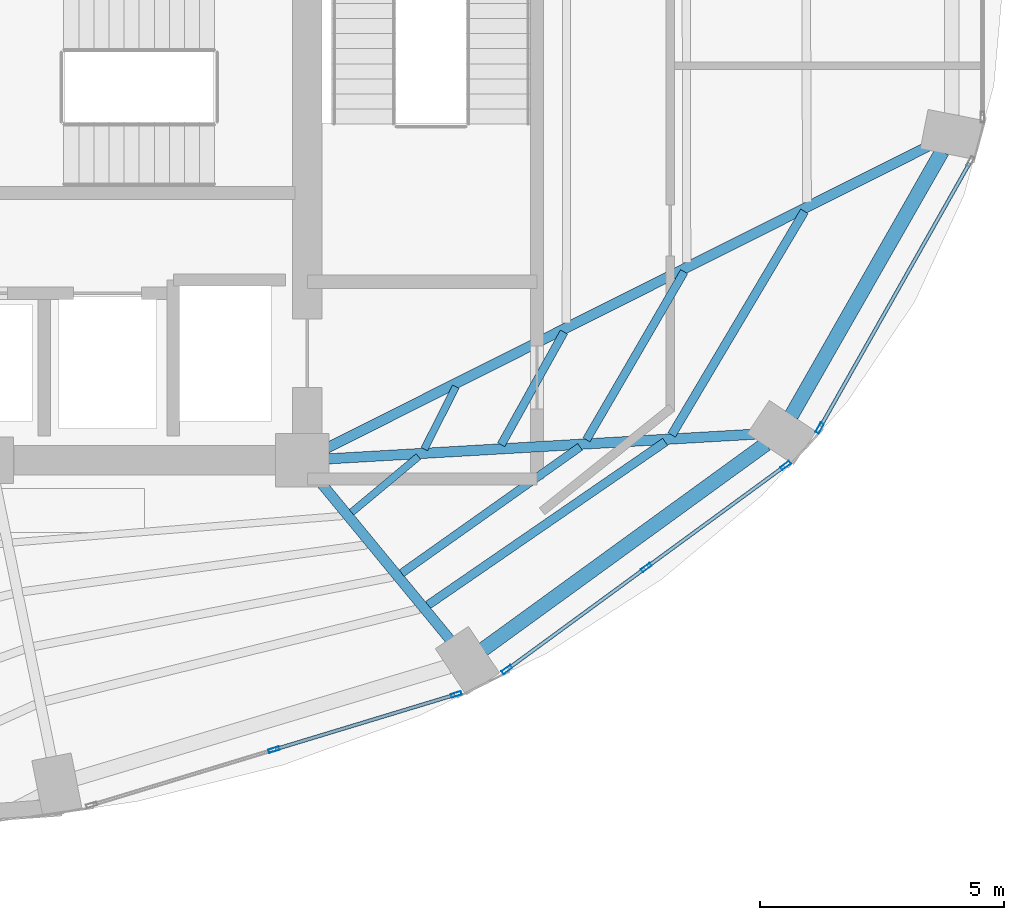
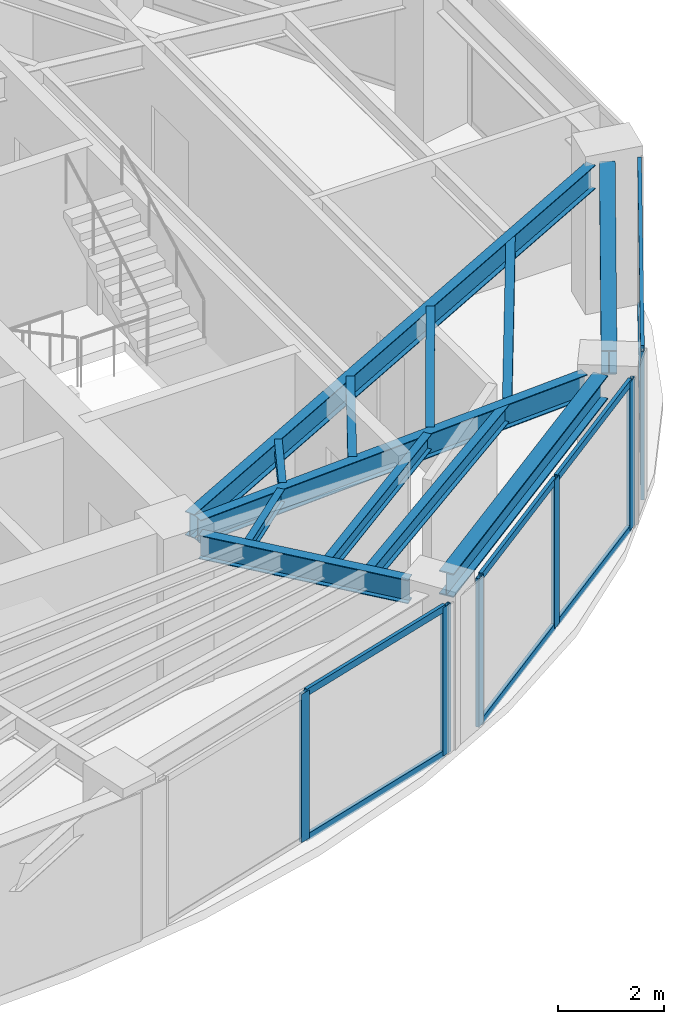
# One storey, part 9 of 20: 14 members, 12 beams, 3 elements without a shape of their own.
"""IFC4 building model written with IfcOpenShell, lengths in metres."""

from ifc_helpers import new_model, si_unit, direction, frame, origin, origin_2d, place, context, subcontext, project, spatial, hollow_rectangle, i_section, extrude, material, layer, layer_set, material_profile, profile_set, type_object, element, aggregate, save


model = new_model("IFC4")

# Units and contexts
model_context = context("Model", 3, precision=1e-05, world=origin(), true_north=direction((0.0, 1.0)))
body_context = subcontext(model_context, "Body", "Model", "MODEL_VIEW")
ifc_project = project(units=[si_unit("LENGTHUNIT", "METRE"), si_unit("AREAUNIT", "SQUARE_METRE"), si_unit("VOLUMEUNIT", "CUBIC_METRE"), si_unit("PLANEANGLEUNIT", "RADIAN"), si_unit("MASSUNIT", "GRAM", prefix="KILO")], contexts=[model_context])

# Site, building, storey
site_placement = place(None, origin())
site = spatial("IfcSite", under=ifc_project, at=site_placement, CompositionType="ELEMENT")
building_placement = place(site_placement, origin())
building = spatial("IfcBuilding", under=site, at=building_placement, Name="Lazwardi Medical Tower", CompositionType="ELEMENT")
storey_placement = place(building_placement, frame((0.0, 0.0, 152.8798828125)))
storey = spatial("IfcBuildingStorey", under=building, at=storey_placement, Name="L39", CompositionType="ELEMENT", Elevation=152.8798828125)

# Beams
ifc_material_1 = material(Name="Steel S355", Category="steel")
ifc_material_profile_1 = material_profile(ifc_material_1, i_section(OverallWidth=0.300048828125, OverallDepth=0.550048828125, WebThickness=0.014892578125, FlangeThickness=0.029052734375, at=origin_2d()), Name="HEB 550")
ifc_profile_set_1 = profile_set([ifc_material_profile_1], Name="Steel S355")
beam_type_1 = type_object("IfcBeamType", Name="BM-RB-Z3", PredefinedType="BEAM", material=ifc_profile_set_1)
beam_1_placement = place(storey_placement, frame((49.310302734375, 16.520751953125, 3.153076171875), z_axis=(0.809127570774, 0.587633026824, 0.0), x_axis=(-0.587633026824, 0.809127570774, 0.0)))
element("IfcBeam", 1, at=beam_1_placement, inside=storey, type_object=beam_type_1, Name="Ring beam RB-04 B02 L39", PredefinedType="BEAM", context=body_context, shape_type="SweptSolid", body=[
    extrude(i_section(OverallWidth=0.300048828125, OverallDepth=0.550048828125, WebThickness=0.014892578125, FlangeThickness=0.029052734375, at=origin_2d()), origin(), (0.0, 0.0, 1.0), 7.170166015625),
])
beam_2_placement = place(storey_placement, frame((55.6337890625, 21.316650390625, 3.153076171875), z_axis=(0.495477752551, 0.868620628771, 0.0), x_axis=(-0.868620628771, 0.495477752551, 0.0)))
element("IfcBeam", 2, at=beam_2_placement, inside=storey, type_object=beam_type_1, Name="Ring beam RB-04 B03 L39", PredefinedType="BEAM", context=body_context, shape_type="SweptSolid", body=[
    extrude(i_section(OverallWidth=0.300048828125, OverallDepth=0.550048828125, WebThickness=0.014892578125, FlangeThickness=0.029052734375, at=origin_2d()), origin(), (0.0, 0.0, 1.0), 6.244384765625),
])
ifc_material_profile_2 = material_profile(ifc_material_1, i_section(OverallWidth=0.2099609375, OverallDepth=0.550048828125, WebThickness=0.010986328125, FlangeThickness=0.01708984375, at=origin_2d()), Name="IPE 550")
ifc_profile_set_2 = profile_set([ifc_material_profile_2], Name="Steel S355")
beam_type_2 = type_object("IfcBeamType", Name="BM-RG-W2", PredefinedType="BEAM", material=ifc_profile_set_2)
beam_3_placement = place(storey_placement, frame((48.630615234375, 16.71826171875, 3.153076171875), z_axis=(-0.635555639966, 0.772055068312, 0.0), x_axis=(-0.772055068312, -0.635555639966, 0.0)))
element("IfcBeam", 3, at=beam_3_placement, inside=storey, type_object=beam_type_2, Name="Radial girder RG-03 R02 L39", PredefinedType="BEAM", context=body_context, shape_type="SweptSolid", body=[
    extrude(i_section(OverallWidth=0.2099609375, OverallDepth=0.550048828125, WebThickness=0.010986328125, FlangeThickness=0.01708984375, at=origin_2d()), origin(), (0.0, 0.0, 1.0), 4.233642578125),
])
beam_4_placement = place(storey_placement, frame((54.87646484375, 20.936767578125, 3.153076171875), z_axis=(-0.998330154646, -0.057765927014, 0.0), x_axis=(0.057765927014, -0.998330154646, 0.0)))
element("IfcBeam", 4, at=beam_4_placement, inside=storey, type_object=beam_type_2, Name="Radial girder RG-03 R03 L39", PredefinedType="BEAM", context=body_context, shape_type="SweptSolid", body=[
    extrude(i_section(OverallWidth=0.2099609375, OverallDepth=0.550048828125, WebThickness=0.010986328125, FlangeThickness=0.01708984375, at=origin_2d()), origin(), (0.0, 0.0, 1.0), 8.757080078125),
])
beam_5_placement = place(storey_placement, frame((58.42529296875, 26.837158203125, 3.153076171875), z_axis=(-0.893740468624, -0.448584412061, 0.0), x_axis=(0.448584412061, -0.893740468624, 0.0)))
element("IfcBeam", 5, at=beam_5_placement, inside=storey, type_object=beam_type_2, Name="Radial girder RG-03 R04 L39", PredefinedType="BEAM", context=body_context, shape_type="SweptSolid", body=[
    extrude(i_section(OverallWidth=0.2099609375, OverallDepth=0.550048828125, WebThickness=0.010986328125, FlangeThickness=0.01708984375, at=origin_2d()), origin(), (0.0, 0.0, 1.0), 13.815185546875),
])
ifc_material_profile_3 = material_profile(ifc_material_1, i_section(OverallWidth=0.179931640625, OverallDepth=0.39990234375, WebThickness=0.008544921875, FlangeThickness=0.013427734375, at=origin_2d()), Name="IPE 400")
ifc_profile_set_3 = profile_set([ifc_material_profile_3], Name="Steel S355")
beam_type_3 = type_object("IfcBeamType", Name="BM-SJ-01", PredefinedType="JOIST", material=ifc_profile_set_3)
beam_6_placement = place(storey_placement, frame((48.1748046875, 17.4287109375, 3.22802734375), z_axis=(0.823932256005, 0.566688307198, 0.0), x_axis=(-0.566688307198, 0.823932256005, 0.0)))
element("IfcBeam", 6, at=beam_6_placement, inside=storey, type_object=beam_type_3, Name="Secondary joist SJ-01 R1 B02 L39", PredefinedType="JOIST", context=body_context, shape_type="SweptSolid", body=[
    extrude(i_section(OverallWidth=0.179931640625, OverallDepth=0.39990234375, WebThickness=0.008544921875, FlangeThickness=0.013427734375, at=origin_2d()), origin(), (0.0, 0.0, 1.0), 5.91162109375),
])
beam_7_placement = place(storey_placement, frame((53.17919921875, 20.921630859375, 3.22802734375), z_axis=(0.510569396963, 0.859836548935, 0.0), x_axis=(-0.859836548935, 0.510569396963, 0.0)))
element("IfcBeam", 7, at=beam_7_placement, inside=storey, type_object=beam_type_3, Name="Secondary joist SJ-01 R1 B03 L39", PredefinedType="JOIST", context=body_context, shape_type="SweptSolid", body=[
    extrude(i_section(OverallWidth=0.179931640625, OverallDepth=0.39990234375, WebThickness=0.008544921875, FlangeThickness=0.013427734375, at=origin_2d()), origin(), (0.0, 0.0, 1.0), 5.33837890625),
])
ifc_material_profile_4 = material_profile(ifc_material_1, i_section(OverallWidth=0.169921875, OverallDepth=0.360107421875, WebThickness=0.008056640625, FlangeThickness=0.0126953125, at=origin_2d()), Name="IPE 360")
ifc_profile_set_4 = profile_set([ifc_material_profile_4], Name="Steel S355")
beam_type_4 = type_object("IfcBeamType", Name="BM-SJ-02", PredefinedType="JOIST", material=ifc_profile_set_4)
beam_8_placement = place(storey_placement, frame((47.635986328125, 18.08349609375, 3.248046875), z_axis=(0.816108950798, 0.577898070967, 0.0), x_axis=(-0.577898070967, 0.816108950798, 0.0)))
element("IfcBeam", 8, at=beam_8_placement, inside=storey, type_object=beam_type_4, Name="Secondary joist SJ-02 R2 B02 L39", PredefinedType="JOIST", context=body_context, shape_type="SweptSolid", body=[
    extrude(i_section(OverallWidth=0.169921875, OverallDepth=0.360107421875, WebThickness=0.008056640625, FlangeThickness=0.0126953125, at=origin_2d()), origin(), (0.0, 0.0, 1.0), 4.487060546875),
])
beam_9_placement = place(storey_placement, frame((51.4296875, 20.82080078125, 3.248046875), z_axis=(0.502665102216, 0.864481228839, 0.0), x_axis=(-0.864481228839, 0.502665102216, 0.0)))
element("IfcBeam", 9, at=beam_9_placement, inside=storey, type_object=beam_type_4, Name="Secondary joist SJ-02 R2 B03 L39", PredefinedType="JOIST", context=body_context, shape_type="SweptSolid", body=[
    extrude(i_section(OverallWidth=0.169921875, OverallDepth=0.360107421875, WebThickness=0.008056640625, FlangeThickness=0.0126953125, at=origin_2d()), origin(), (0.0, 0.0, 1.0), 3.991943359375),
])
beam_10_placement = place(storey_placement, frame((49.6796875, 20.720703125, 3.248046875), z_axis=(0.487099444348, 0.87334651274, 0.0), x_axis=(-0.87334651274, 0.487099444348, 0.0)))
element("IfcBeam", 10, at=beam_10_placement, inside=storey, type_object=beam_type_4, Name="Secondary joist SJ-02 R3 B03 L39", PredefinedType="JOIST", context=body_context, shape_type="SweptSolid", body=[
    extrude(i_section(OverallWidth=0.169921875, OverallDepth=0.360107421875, WebThickness=0.008056640625, FlangeThickness=0.0126953125, at=origin_2d()), origin(), (0.0, 0.0, 1.0), 2.64599609375),
])
ifc_material_profile_5 = material_profile(ifc_material_1, i_section(OverallWidth=0.14990234375, OverallDepth=0.300048828125, WebThickness=0.007080078125, FlangeThickness=0.0107421875, at=origin_2d()), Name="IPE 300")
ifc_profile_set_5 = profile_set([ifc_material_profile_5], Name="Steel S355")
beam_type_5 = type_object("IfcBeamType", Name="BM-SJ-03", PredefinedType="JOIST", material=ifc_profile_set_5)
beam_11_placement = place(storey_placement, frame((46.608642578125, 19.331787109375, 3.278076171875), z_axis=(0.767437193893, 0.641124132621, 0.0), x_axis=(-0.641124132621, 0.767437193893, 0.0)))
element("IfcBeam", 11, at=beam_11_placement, inside=storey, type_object=beam_type_5, Name="Secondary joist SJ-03 R4 B02 L39", PredefinedType="JOIST", context=body_context, shape_type="SweptSolid", body=[
    extrude(i_section(OverallWidth=0.14990234375, OverallDepth=0.300048828125, WebThickness=0.007080078125, FlangeThickness=0.0107421875, at=origin_2d()), origin(), (0.0, 0.0, 1.0), 1.787841796875),
])
beam_12_placement = place(storey_placement, frame((48.1025390625, 20.631591796875, 3.278076171875), z_axis=(0.450406075332, 0.892823816497, 0.0), x_axis=(-0.892823816497, 0.450406075332, 0.0)))
element("IfcBeam", 12, at=beam_12_placement, inside=storey, type_object=beam_type_5, Name="Secondary joist SJ-03 R4 B03 L39", PredefinedType="JOIST", context=body_context, shape_type="SweptSolid", body=[
    extrude(i_section(OverallWidth=0.14990234375, OverallDepth=0.300048828125, WebThickness=0.007080078125, FlangeThickness=0.0107421875, at=origin_2d()), origin(), (0.0, 0.0, 1.0), 1.4365234375),
])

# Curtain wall, members
ifc_material_2 = material(Name="Anodised bronze aluminium and solar control glazing", Category="aluminium")
ifc_layer = layer(ifc_material_2, 0.195068359375)
ifc_layer_set = layer_set([ifc_layer], Name="Anodised bronze aluminium and solar control glazing")
curtain_wall_type = type_object("IfcCurtainWallType", Name="CW-SYS-03", PredefinedType="NOTDEFINED", material=ifc_layer_set)
curtain_wall_1_placement = place(storey_placement, origin())
curtain_wall_1 = element("IfcCurtainWall", 13, at=curtain_wall_1_placement, inside=storey, type_object=curtain_wall_type, Name="L39 Unitised bronze curtain wall CW-03", PredefinedType="NOTDEFINED")
ifc_material_3 = material(Name="Anodised bronze aluminium", Category="aluminium")
ifc_material_profile_6 = material_profile(ifc_material_3, hollow_rectangle(XDim=0.074951171875, YDim=0.219970703125, WallThickness=0.00390625, at=origin_2d()), Name="ALU-MULLION 220x75x4")
ifc_profile_set_6 = profile_set([ifc_material_profile_6], Name="Anodised bronze aluminium")
member_type_1 = type_object("IfcMemberType", Name="CW-MUL-01", PredefinedType="MULLION", material=ifc_profile_set_6)
member_1_placement = place(storey_placement, frame((45.01513671875, 14.461181640625, 0.0), z_axis=(0.0, 0.0, 1.0), x_axis=(-0.290280785441, 0.956941516292, 0.0)))
member_1 = element("IfcMember", 14, at=member_1_placement, type_object=member_type_1, Name="CW-03 mullion 2", PredefinedType="MULLION", context=body_context, shape_type="SweptSolid", body=[
    extrude(hollow_rectangle(XDim=0.074951171875, YDim=0.219970703125, WallThickness=0.00390625, at=origin_2d()), origin(), (0.0, 0.0, 1.0), 3.42822265625),
])
member_2_placement = place(storey_placement, frame((48.758056640625, 15.5966796875, 0.0), z_axis=(0.0, 0.0, 1.0), x_axis=(-0.290280785441, 0.956941516292, 0.0)))
member_2 = element("IfcMember", 15, at=member_2_placement, type_object=member_type_1, Name="CW-03 mullion 3", PredefinedType="MULLION", context=body_context, shape_type="SweptSolid", body=[
    extrude(hollow_rectangle(XDim=0.074951171875, YDim=0.219970703125, WallThickness=0.00390625, at=origin_2d()), origin(), (0.0, 0.0, 1.0), 3.42822265625),
])

curtain_wall_2_placement = place(storey_placement, origin())
curtain_wall_2 = element("IfcCurtainWall", 16, at=curtain_wall_2_placement, inside=storey, type_object=curtain_wall_type, Name="L39 Unitised bronze curtain wall CW-03", PredefinedType="NOTDEFINED")
member_3_placement = place(storey_placement, frame((49.795654296875, 16.105224609375, 0.0), z_axis=(0.0, 0.0, 1.0), x_axis=(-0.590833862635, 0.806793249082, 0.0)))
member_3 = element("IfcMember", 17, at=member_3_placement, type_object=member_type_1, Name="CW-03 mullion 1", PredefinedType="MULLION", context=body_context, shape_type="SweptSolid", body=[
    extrude(hollow_rectangle(XDim=0.074951171875, YDim=0.219970703125, WallThickness=0.00390625, at=origin_2d()), origin(), (0.0, 0.0, 1.0), 3.42822265625),
])
member_4_placement = place(storey_placement, frame((52.65771484375, 18.201171875, 0.0), z_axis=(0.0, 0.0, 1.0), x_axis=(-0.590833862635, 0.806793249082, 0.0)))
member_4 = element("IfcMember", 18, at=member_4_placement, type_object=member_type_1, Name="CW-03 mullion 2", PredefinedType="MULLION", context=body_context, shape_type="SweptSolid", body=[
    extrude(hollow_rectangle(XDim=0.074951171875, YDim=0.219970703125, WallThickness=0.00390625, at=origin_2d()), origin(), (0.0, 0.0, 1.0), 3.42822265625),
])
member_5_placement = place(storey_placement, frame((55.519775390625, 20.297119140625, 0.0), z_axis=(0.0, 0.0, 1.0), x_axis=(-0.590833862635, 0.806793249082, 0.0)))
member_5 = element("IfcMember", 19, at=member_5_placement, type_object=member_type_1, Name="CW-03 mullion 3", PredefinedType="MULLION", context=body_context, shape_type="SweptSolid", body=[
    extrude(hollow_rectangle(XDim=0.074951171875, YDim=0.219970703125, WallThickness=0.00390625, at=origin_2d()), origin(), (0.0, 0.0, 1.0), 3.42822265625),
])

# Curtain wall, member
curtain_wall_3_placement = place(storey_placement, origin())
curtain_wall_3 = element("IfcCurtainWall", 20, at=curtain_wall_3_placement, inside=storey, type_object=curtain_wall_type, Name="L39 Unitised bronze curtain wall CW-03", PredefinedType="NOTDEFINED")
member_6_placement = place(storey_placement, frame((56.217529296875, 21.063232421875, 0.0), z_axis=(0.0, 0.0, 1.0), x_axis=(-0.870418989303, 0.492311672683, 0.0)))
member_6 = element("IfcMember", 21, at=member_6_placement, type_object=member_type_1, Name="CW-03 mullion 1", PredefinedType="MULLION", context=body_context, shape_type="SweptSolid", body=[
    extrude(hollow_rectangle(XDim=0.074951171875, YDim=0.219970703125, WallThickness=0.00390625, at=origin_2d()), origin(), (0.0, 0.0, 1.0), 3.42822265625),
])

# Member
ifc_material_profile_7 = material_profile(ifc_material_3, hollow_rectangle(XDim=0.074951171875, YDim=0.159912109375, WallThickness=0.00390625, at=origin_2d()), Name="ALU-TRANSOM 160x75x4")
ifc_profile_set_7 = profile_set([ifc_material_profile_7], Name="Anodised bronze aluminium")
member_type_2 = type_object("IfcMemberType", Name="CW-TRN-01", PredefinedType="USERDEFINED", material=ifc_profile_set_7)
member_7_placement = place(storey_placement, frame((45.051025390625, 14.47216796875, 0.03759765625), z_axis=(0.956930154175, 0.290318239233, 0.0), x_axis=(-0.290318239233, 0.956930154175, 0.0)))
member_7 = element("IfcMember", 22, at=member_7_placement, type_object=member_type_2, Name="CW-03 transom 2.1", ObjectType="TRANSOM", PredefinedType="USERDEFINED", context=body_context, shape_type="SweptSolid", body=[
    extrude(hollow_rectangle(XDim=0.074951171875, YDim=0.159912109375, WallThickness=0.00390625, at=origin_2d()), origin(), (0.0, 0.0, 1.0), 3.83642578125),
])

member_8_placement = place(storey_placement, frame((45.051025390625, 14.47216796875, 3.390625), z_axis=(0.956930154175, 0.290318239233, 0.0), x_axis=(-0.290318239233, 0.956930154175, 0.0)))
member_8 = element("IfcMember", 23, at=member_8_placement, type_object=member_type_2, Name="CW-03 transom 2.2", ObjectType="TRANSOM", PredefinedType="USERDEFINED", context=body_context, shape_type="SweptSolid", body=[
    extrude(hollow_rectangle(XDim=0.074951171875, YDim=0.159912109375, WallThickness=0.00390625, at=origin_2d()), origin(), (0.0, 0.0, 1.0), 3.83642578125),
])

aggregate(curtain_wall_1, [member_1, member_2, member_7, member_8])

member_9_placement = place(storey_placement, frame((49.825927734375, 16.127197265625, 0.03759765625), z_axis=(0.806773646358, 0.590860629542, 0.0), x_axis=(-0.590860629542, 0.806773646358, 0.0)))
member_9 = element("IfcMember", 24, at=member_9_placement, type_object=member_type_2, Name="CW-03 transom 1.1", ObjectType="TRANSOM", PredefinedType="USERDEFINED", context=body_context, shape_type="SweptSolid", body=[
    extrude(hollow_rectangle(XDim=0.074951171875, YDim=0.159912109375, WallThickness=0.00390625, at=origin_2d()), origin(), (0.0, 0.0, 1.0), 3.472412109375),
])

member_10_placement = place(storey_placement, frame((49.825927734375, 16.127197265625, 3.390625), z_axis=(0.806773646358, 0.590860629542, 0.0), x_axis=(-0.590860629542, 0.806773646358, 0.0)))
member_10 = element("IfcMember", 25, at=member_10_placement, type_object=member_type_2, Name="CW-03 transom 1.2", ObjectType="TRANSOM", PredefinedType="USERDEFINED", context=body_context, shape_type="SweptSolid", body=[
    extrude(hollow_rectangle(XDim=0.074951171875, YDim=0.159912109375, WallThickness=0.00390625, at=origin_2d()), origin(), (0.0, 0.0, 1.0), 3.472412109375),
])

member_11_placement = place(storey_placement, frame((52.68798828125, 18.22314453125, 0.03759765625), z_axis=(0.806773646358, 0.590860629542, 0.0), x_axis=(-0.590860629542, 0.806773646358, 0.0)))
member_11 = element("IfcMember", 26, at=member_11_placement, type_object=member_type_2, Name="CW-03 transom 2.1", ObjectType="TRANSOM", PredefinedType="USERDEFINED", context=body_context, shape_type="SweptSolid", body=[
    extrude(hollow_rectangle(XDim=0.074951171875, YDim=0.159912109375, WallThickness=0.00390625, at=origin_2d()), origin(), (0.0, 0.0, 1.0), 3.472412109375),
])

member_12_placement = place(storey_placement, frame((52.68798828125, 18.22314453125, 3.390625), z_axis=(0.806773646358, 0.590860629542, 0.0), x_axis=(-0.590860629542, 0.806773646358, 0.0)))
member_12 = element("IfcMember", 27, at=member_12_placement, type_object=member_type_2, Name="CW-03 transom 2.2", ObjectType="TRANSOM", PredefinedType="USERDEFINED", context=body_context, shape_type="SweptSolid", body=[
    extrude(hollow_rectangle(XDim=0.074951171875, YDim=0.159912109375, WallThickness=0.00390625, at=origin_2d()), origin(), (0.0, 0.0, 1.0), 3.472412109375),
])

aggregate(curtain_wall_2, [member_3, member_4, member_5, member_9, member_10, member_11, member_12])

member_13_placement = place(storey_placement, frame((56.236083984375, 21.095947265625, 0.03759765625), z_axis=(0.492322860598, 0.870412661289, 0.0), x_axis=(-0.870412661289, 0.492322860598, 0.0)))
member_13 = element("IfcMember", 28, at=member_13_placement, type_object=member_type_2, Name="CW-03 transom 1.1", ObjectType="TRANSOM", PredefinedType="USERDEFINED", context=body_context, shape_type="SweptSolid", body=[
    extrude(hollow_rectangle(XDim=0.074951171875, YDim=0.159912109375, WallThickness=0.00390625, at=origin_2d()), origin(), (0.0, 0.0, 1.0), 6.20849609375),
])

member_14_placement = place(storey_placement, frame((56.236083984375, 21.095947265625, 3.390625), z_axis=(0.492322860598, 0.870412661289, 0.0), x_axis=(-0.870412661289, 0.492322860598, 0.0)))
member_14 = element("IfcMember", 29, at=member_14_placement, type_object=member_type_2, Name="CW-03 transom 1.2", ObjectType="TRANSOM", PredefinedType="USERDEFINED", context=body_context, shape_type="SweptSolid", body=[
    extrude(hollow_rectangle(XDim=0.074951171875, YDim=0.159912109375, WallThickness=0.00390625, at=origin_2d()), origin(), (0.0, 0.0, 1.0), 6.20849609375),
])

aggregate(curtain_wall_3, [member_6, member_13, member_14])

save(model, "model.ifc")
